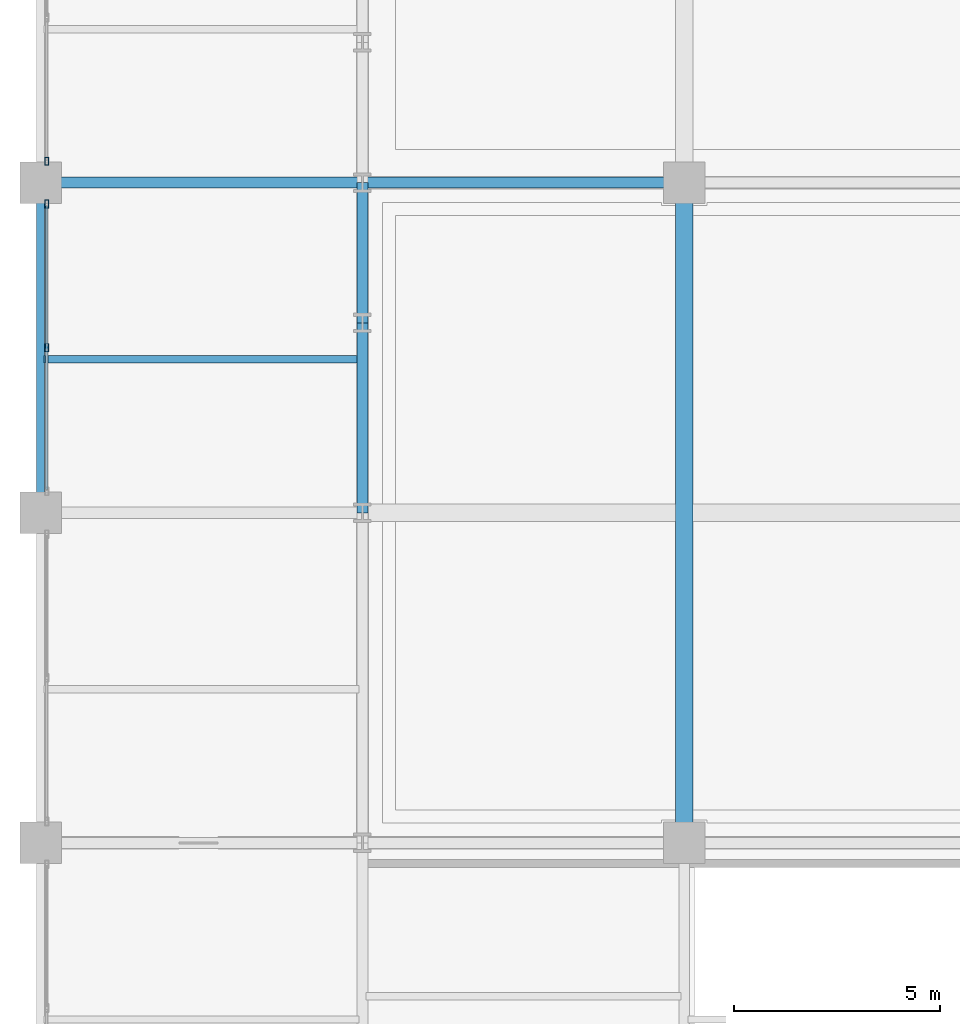
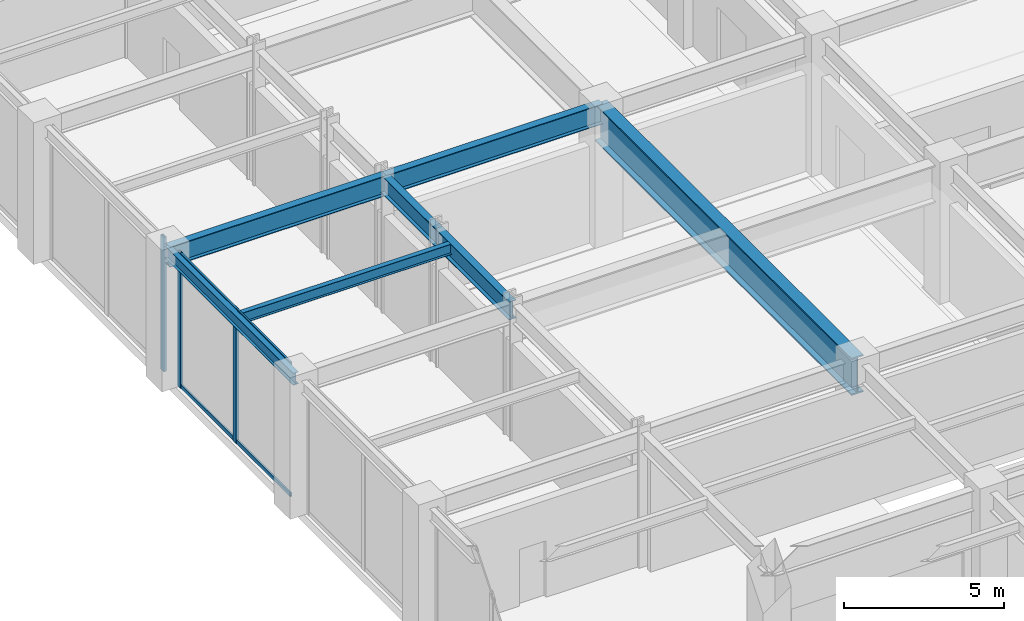
# One storey, part 9 of 27: 7 beams, 5 members, 2 elements without a shape of their own.
"""IFC4 building model written with IfcOpenShell, lengths in metres."""

from ifc_helpers import new_model, si_unit, direction, frame, origin, origin_2d, place, context, subcontext, project, spatial, hollow_rectangle, i_section, extrude, material, layer, layer_set, material_profile, profile_set, type_object, element, aggregate, save


model = new_model("IFC4")

# Units and contexts
model_context = context("Model", 3, precision=1e-05, world=origin(), true_north=direction((0.0, 1.0)))
body_context = subcontext(model_context, "Body", "Model", "MODEL_VIEW")
ifc_project = project(units=[si_unit("LENGTHUNIT", "METRE"), si_unit("AREAUNIT", "SQUARE_METRE"), si_unit("VOLUMEUNIT", "CUBIC_METRE"), si_unit("PLANEANGLEUNIT", "RADIAN"), si_unit("MASSUNIT", "GRAM", prefix="KILO")], contexts=[model_context])

# Site, building, storey
site_placement = place(None, origin())
site = spatial("IfcSite", under=ifc_project, at=site_placement, CompositionType="ELEMENT")
building_placement = place(site_placement, origin())
building = spatial("IfcBuilding", under=site, at=building_placement, Name="Veymaron Broadcast Tower", CompositionType="ELEMENT")
storey_placement = place(building_placement, origin())
storey = spatial("IfcBuildingStorey", under=building, at=storey_placement, Name="L00", CompositionType="ELEMENT", Elevation=0.0)

# Beams
ifc_material_1 = material(Name="Structural steel ASTM A992 Gr 50", Category="steel")
ifc_material_profile_1 = material_profile(ifc_material_1, i_section(OverallWidth=0.177978515625, OverallDepth=0.406982421875, WebThickness=0.0078125, FlangeThickness=0.0126953125, at=origin_2d()), Name="W410X60")
ifc_profile_set_1 = profile_set([ifc_material_profile_1], Name="Structural steel ASTM A992 Gr 50")
beam_type_1 = type_object("IfcBeamType", Name="BM-JS1", PredefinedType="JOIST", material=ifc_profile_set_1)
beam_1_placement = place(storey_placement, frame((0.0849609375, 19.719970703125, 4.91650390625), z_axis=(1.0, 0.0, 0.0), x_axis=(0.0, 1.0, 0.0)))
element("IfcBeam", 1, at=beam_1_placement, inside=storey, type_object=beam_type_1, Name="L00 podium secondary floor joist", PredefinedType="JOIST", context=body_context, shape_type="SweptSolid", body=[
    extrude(i_section(OverallWidth=0.177978515625, OverallDepth=0.406982421875, WebThickness=0.0078125, FlangeThickness=0.0126953125, at=origin_2d()), origin(), (0.0, 0.0, 1.0), 7.630126953125),
])
ifc_material_profile_2 = material_profile(ifc_material_1, i_section(OverallWidth=0.26806640625, OverallDepth=0.77001953125, WebThickness=0.015625, FlangeThickness=0.025390625, at=origin_2d()), Name="W760X196")
ifc_profile_set_2 = profile_set([ifc_material_profile_2], Name="Structural steel ASTM A992 Gr 50")
beam_type_2 = type_object("IfcBeamType", Name="BM-PG1", PredefinedType="BEAM", material=ifc_profile_set_2)
for number, where, z_axis, x_axis, name in (
    (2, (0.0, 24.0, 4.735107421875), (1.0, 0.0, 0.0), (0.0, 1.0, 0.0), "L00 podium primary X-girder"),
    (3, (7.800048828125, 24.0, 4.735107421875), (1.0, 0.0, 0.0), (0.0, 1.0, 0.0), "L00 podium primary X-girder"),
):
    element("IfcBeam", number, at=place(storey_placement, frame(where, z_axis=z_axis, x_axis=x_axis)), inside=storey, type_object=beam_type_2, Name=name, PredefinedType="BEAM", context=body_context, shape_type="SweptSolid", body=[
        extrude(i_section(OverallWidth=0.26806640625, OverallDepth=0.77001953125, WebThickness=0.015625, FlangeThickness=0.025390625, at=origin_2d()), origin(), (0.0, 0.0, 1.0), 7.800048828125),
    ])
ifc_material_profile_3 = material_profile(ifc_material_1, i_section(OverallWidth=0.256103515625, OverallDepth=0.693115234375, WebThickness=0.014404296875, FlangeThickness=0.023681640625, at=origin_2d()), Name="W690X170")
ifc_profile_set_3 = profile_set([ifc_material_profile_3], Name="Structural steel ASTM A992 Gr 50")
beam_type_3 = type_object("IfcBeamType", Name="BM-PG2", PredefinedType="BEAM", material=ifc_profile_set_3)
beam_2_placement = place(storey_placement, frame((7.800048828125, 16.0, 4.7734375), z_axis=(0.0, 1.0, 0.0), x_axis=(-1.0, 0.0, 0.0)))
element("IfcBeam", 4, at=beam_2_placement, inside=storey, type_object=beam_type_3, Name="L00 podium primary Y-girder", PredefinedType="BEAM", context=body_context, shape_type="SweptSolid", body=[
    extrude(i_section(OverallWidth=0.256103515625, OverallDepth=0.693115234375, WebThickness=0.014404296875, FlangeThickness=0.023681640625, at=origin_2d()), origin(), (0.0, 0.0, 1.0), 4.60009765625),
])
beam_3_placement = place(storey_placement, frame((7.800048828125, 20.60009765625, 4.7734375), z_axis=(0.0, 1.0, 0.0), x_axis=(-1.0, 0.0, 0.0)))
element("IfcBeam", 5, at=beam_3_placement, inside=storey, type_object=beam_type_3, Name="L00 podium primary Y-girder", PredefinedType="BEAM", context=body_context, shape_type="SweptSolid", body=[
    extrude(i_section(OverallWidth=0.256103515625, OverallDepth=0.693115234375, WebThickness=0.014404296875, FlangeThickness=0.023681640625, at=origin_2d()), origin(), (0.0, 0.0, 1.0), 3.39990234375),
])
ifc_material_profile_4 = material_profile(ifc_material_1, i_section(OverallWidth=0.19091796875, OverallDepth=0.4599609375, WebThickness=0.010009765625, FlangeThickness=0.01611328125, at=origin_2d()), Name="W460X82")
ifc_profile_set_4 = profile_set([ifc_material_profile_4], Name="Structural steel ASTM A992 Gr 50")
beam_type_4 = type_object("IfcBeamType", Name="BM-SP1", PredefinedType="SPANDREL", material=ifc_profile_set_4)
beam_4_placement = place(storey_placement, frame((0.0, 16.0, 4.889892578125), z_axis=(0.0, 1.0, 0.0), x_axis=(-1.0, 0.0, 0.0)))
element("IfcBeam", 6, at=beam_4_placement, inside=storey, type_object=beam_type_4, Name="L00 podium primary Y-girder", PredefinedType="SPANDREL", context=body_context, shape_type="SweptSolid", body=[
    extrude(i_section(OverallWidth=0.19091796875, OverallDepth=0.4599609375, WebThickness=0.010009765625, FlangeThickness=0.01611328125, at=origin_2d()), origin(), (0.0, 0.0, 1.0), 8.0),
])
ifc_material_2 = material(Name="Structural steel ASTM A913 Gr 65", Category="steel")
ifc_material_profile_5 = material_profile(ifc_material_2, i_section(OverallWidth=0.429931640625, OverallDepth=1.419921875, WebThickness=0.030029296875, FlangeThickness=0.050048828125, at=origin_2d()), Name="W1400X550")
ifc_profile_set_5 = profile_set([ifc_material_profile_5], Name="Structural steel ASTM A913 Gr 65")
beam_type_5 = type_object("IfcBeamType", Name="BM-TG0", PredefinedType="BEAM", material=ifc_profile_set_5)
beam_5_placement = place(storey_placement, frame((15.60009765625, 8.0, 4.409912109375), z_axis=(0.0, 1.0, 0.0), x_axis=(-1.0, 0.0, 0.0)))
element("IfcBeam", 7, at=beam_5_placement, inside=storey, type_object=beam_type_5, Name="L00 podium primary Y-girder", PredefinedType="BEAM", context=body_context, shape_type="SweptSolid", body=[
    extrude(i_section(OverallWidth=0.429931640625, OverallDepth=1.419921875, WebThickness=0.030029296875, FlangeThickness=0.050048828125, at=origin_2d()), origin(), (0.0, 0.0, 1.0), 16.0),
])

# Curtain wall, members
ifc_material_3 = material(Name="Anodised aluminium AA 6063-T6 and laminated low-E dark glass", Category="aluminium")
ifc_layer = layer(ifc_material_3, 0.179931640625)
ifc_layer_set = layer_set([ifc_layer], Name="Anodised aluminium AA 6063-T6 and laminated low-E dark glass")
curtain_wall_type = type_object("IfcCurtainWallType", Name="CW-SYS-01", PredefinedType="NOTDEFINED", material=ifc_layer_set)
curtain_wall_1_placement = place(storey_placement, origin())
curtain_wall_1 = element("IfcCurtainWall", 8, at=curtain_wall_1_placement, inside=storey, type_object=curtain_wall_type, Name="L00 dark-glass curtain wall CW-L00-07", PredefinedType="NOTDEFINED")
ifc_material_4 = material(Name="Anodised aluminium AA 6063-T6", Category="aluminium")
ifc_material_profile_6 = material_profile(ifc_material_4, hollow_rectangle(XDim=0.10009765625, YDim=0.199951171875, WallThickness=0.010009765625, at=origin_2d()), Name="RHS200X100X10")
ifc_profile_set_6 = profile_set([ifc_material_profile_6], Name="Anodised aluminium AA 6063-T6")
member_type_1 = type_object("IfcMemberType", Name="CW-MUL-01", PredefinedType="MULLION", material=ifc_profile_set_6)
member_1_placement = place(storey_placement, frame((0.14990234375, 20.0, 0.0), z_axis=(0.0, 0.0, 1.0), x_axis=(1.0, 0.0, 0.0)))
member_1 = element("IfcMember", 9, at=member_1_placement, type_object=member_type_1, Name="CW-L00-07 mullion 1", PredefinedType="MULLION", context=body_context, shape_type="SweptSolid", body=[
    extrude(hollow_rectangle(XDim=0.10009765625, YDim=0.199951171875, WallThickness=0.010009765625, at=origin_2d()), origin(), (0.0, 0.0, 1.0), 5.1201171875),
])
member_2_placement = place(storey_placement, frame((0.14990234375, 23.48193359375, 0.0), z_axis=(0.0, 0.0, 1.0), x_axis=(1.0, 0.0, 0.0)))
member_2 = element("IfcMember", 10, at=member_2_placement, type_object=member_type_1, Name="CW-L00-07 mullion 2", PredefinedType="MULLION", context=body_context, shape_type="SweptSolid", body=[
    extrude(hollow_rectangle(XDim=0.10009765625, YDim=0.199951171875, WallThickness=0.010009765625, at=origin_2d()), origin(), (0.0, 0.0, 1.0), 5.1201171875),
])

# Curtain wall, member
curtain_wall_2_placement = place(storey_placement, origin())
curtain_wall_2 = element("IfcCurtainWall", 11, at=curtain_wall_2_placement, inside=storey, type_object=curtain_wall_type, Name="L00 dark-glass curtain wall CW-L00-08", PredefinedType="NOTDEFINED")
member_3_placement = place(storey_placement, frame((0.14990234375, 24.51806640625, 0.0), z_axis=(0.0, 0.0, 1.0), x_axis=(1.0, 0.0, 0.0)))
member_3 = element("IfcMember", 12, at=member_3_placement, type_object=member_type_1, Name="CW-L00-08 mullion 0", PredefinedType="MULLION", context=body_context, shape_type="SweptSolid", body=[
    extrude(hollow_rectangle(XDim=0.10009765625, YDim=0.199951171875, WallThickness=0.010009765625, at=origin_2d()), origin(), (0.0, 0.0, 1.0), 5.1201171875),
])
aggregate(curtain_wall_2, [member_3])

# Member
ifc_material_profile_7 = material_profile(ifc_material_4, hollow_rectangle(XDim=0.06494140625, YDim=0.14990234375, WallThickness=0.00390625, at=origin_2d()), Name="AL150X65X4")
ifc_profile_set_7 = profile_set([ifc_material_profile_7], Name="Anodised aluminium AA 6063-T6")
member_type_2 = type_object("IfcMemberType", Name="CW-TRN-01", PredefinedType="USERDEFINED", material=ifc_profile_set_7)
member_4_placement = place(storey_placement, frame((0.14990234375, 16.568115234375, 0.070068359375), z_axis=(0.0, 1.0, 0.0), x_axis=(-1.0, 0.0, 0.0)))
member_4 = element("IfcMember", 13, at=member_4_placement, type_object=member_type_2, Name="CW-L00-07 transom B", ObjectType="TRANSOM", PredefinedType="USERDEFINED", context=body_context, shape_type="SweptSolid", body=[
    extrude(hollow_rectangle(XDim=0.06494140625, YDim=0.14990234375, WallThickness=0.00390625, at=origin_2d()), origin(), (0.0, 0.0, 1.0), 6.86376953125),
])

member_5_placement = place(storey_placement, frame((0.14990234375, 16.568115234375, 5.050048828125), z_axis=(0.0, 1.0, 0.0), x_axis=(-1.0, 0.0, 0.0)))
member_5 = element("IfcMember", 14, at=member_5_placement, type_object=member_type_2, Name="CW-L00-07 transom T", ObjectType="TRANSOM", PredefinedType="USERDEFINED", context=body_context, shape_type="SweptSolid", body=[
    extrude(hollow_rectangle(XDim=0.06494140625, YDim=0.14990234375, WallThickness=0.00390625, at=origin_2d()), origin(), (0.0, 0.0, 1.0), 6.86376953125),
])

aggregate(curtain_wall_1, [member_1, member_2, member_4, member_5])

save(model, "model.ifc")
